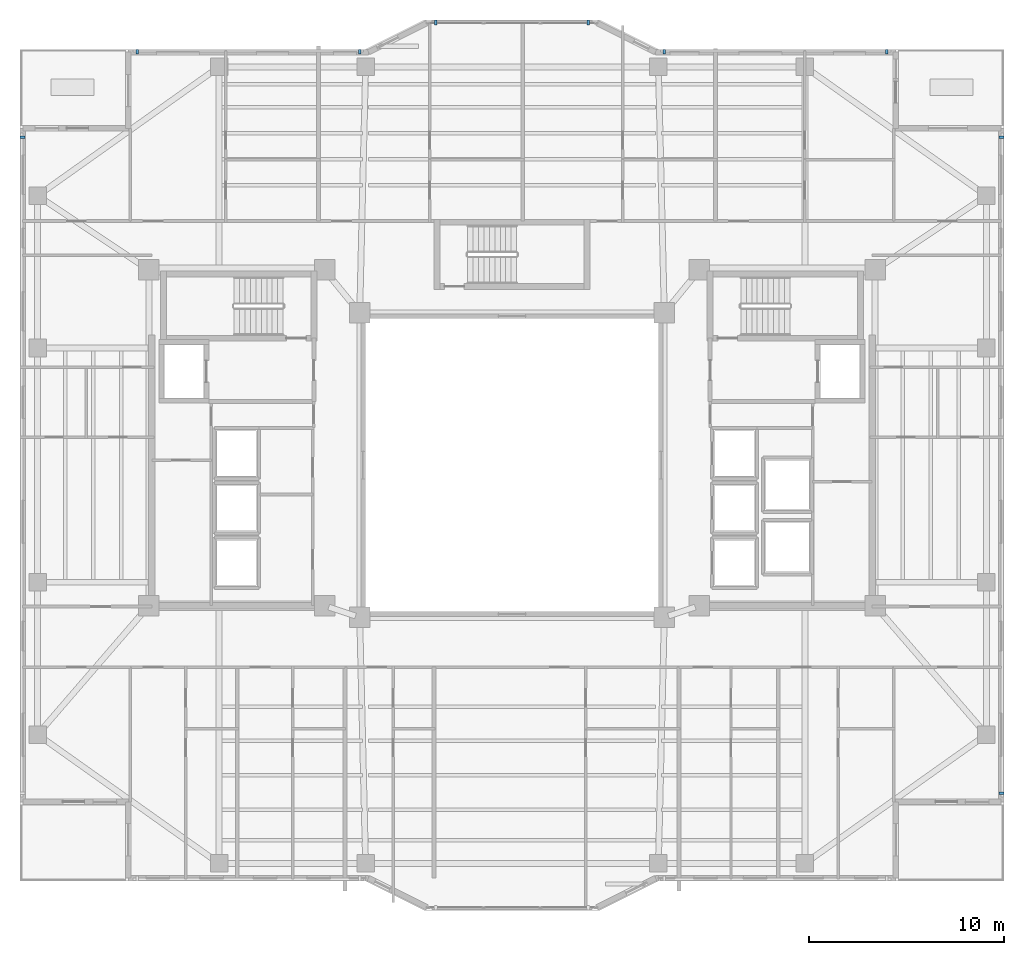
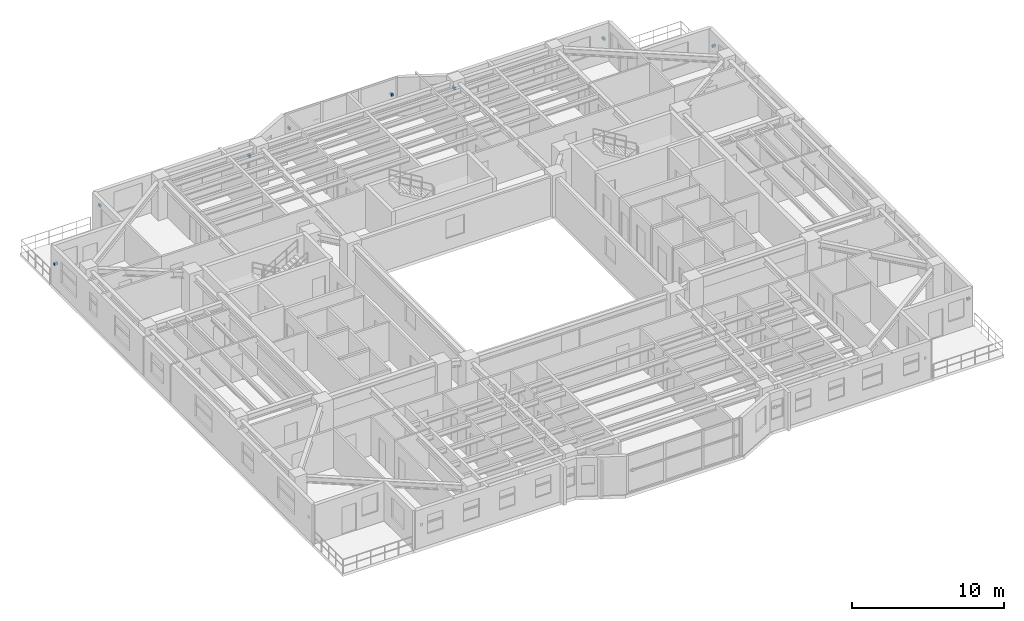
# One storey, part 13 of 17: 9 discrete accessories.
"""IFC4 building model written with IfcOpenShell, lengths in metres."""

from ifc_helpers import new_model, si_unit, direction, frame, origin, origin_2d, place, context, subcontext, project, spatial, rectangle, extrude, material, type_object, element, save


model = new_model("IFC4")

# Units and contexts
model_context = context("Model", 3, precision=1e-05, world=origin(), true_north=direction((0.0, 1.0)))
body_context = subcontext(model_context, "Body", "Model", "MODEL_VIEW")
ifc_project = project(units=[si_unit("LENGTHUNIT", "METRE"), si_unit("AREAUNIT", "SQUARE_METRE"), si_unit("VOLUMEUNIT", "CUBIC_METRE"), si_unit("PLANEANGLEUNIT", "RADIAN"), si_unit("MASSUNIT", "GRAM", prefix="KILO")], contexts=[model_context])

# Site, building, storey
site_placement = place(None, origin())
site = spatial("IfcSite", under=ifc_project, at=site_placement, CompositionType="ELEMENT")
building_placement = place(site_placement, origin())
building = spatial("IfcBuilding", under=site, at=building_placement, Name="Tarnavaz Court Tower", CompositionType="ELEMENT")
storey_placement = place(building_placement, frame((0.0, 0.0, 132.60009765625)))
storey = spatial("IfcBuildingStorey", under=building, at=storey_placement, Name="L35", CompositionType="ELEMENT", Elevation=132.60009765625)

# Discrete accessories
ifc_material = material(Name="Anodised Aluminium 6063-T6", Category="aluminium")
discrete_accessory_type = type_object("IfcDiscreteAccessoryType", Name="DA-BRKT-ALU", PredefinedType="BRACKET", material=ifc_material)
for number, where, z_axis, x_axis, name in (
    (1, (-25.070068359375, 16.800048828125, 1.75), (0.0, 0.0, 1.0), (0.0, 1.0, 0.0), "L35 Baguette Outrigger Bracket FBG02-2"),
    (2, (-19.199951171875, 21.169921875, 1.75), (0.0, 0.0, 1.0), (1.0, 0.0, 0.0), "L35 Baguette Outrigger Bracket FBG05-1"),
    (3, (-7.800048828125, 21.169921875, 1.75), (0.0, 0.0, 1.0), (1.0, 0.0, 0.0), "L35 Baguette Outrigger Bracket FBG05-2"),
    (4, (-3.89990234375, 22.669921875, 1.69970703125), (0.0, 0.0, 1.0), (1.0, 0.0, 0.0), "L35 Baguette Outrigger Bracket PBG7-1"),
    (5, (3.89990234375, 22.669921875, 1.69970703125), (0.0, 0.0, 1.0), (1.0, 0.0, 0.0), "L35 Baguette Outrigger Bracket PBG7-2"),
    (6, (7.800048828125, 21.169921875, 1.75), (0.0, 0.0, 1.0), (1.0, 0.0, 0.0), "L35 Baguette Outrigger Bracket FBG09-1"),
    (7, (19.199951171875, 21.169921875, 1.75), (0.0, 0.0, 1.0), (1.0, 0.0, 0.0), "L35 Baguette Outrigger Bracket FBG09-2"),
    (8, (25.070068359375, 16.800048828125, 1.75), (0.0, 0.0, 1.0), (0.0, -1.0, 0.0), "L35 Baguette Outrigger Bracket FBG12-1"),
    (9, (25.070068359375, -16.800048828125, 1.75), (0.0, 0.0, 1.0), (0.0, -1.0, 0.0), "L35 Baguette Outrigger Bracket FBG12-2"),
):
    element("IfcDiscreteAccessory", number, at=place(storey_placement, frame(where, z_axis=z_axis, x_axis=x_axis)), inside=storey, type_object=discrete_accessory_type, Name=name, PredefinedType="BRACKET", context=body_context, shape_type="SweptSolid", body=[
        extrude(rectangle(XDim=0.139892578125, YDim=0.239990234375, at=origin_2d()), origin(), (0.0, 0.0, 1.0), 0.199951171875),
    ])

save(model, "model.ifc")
